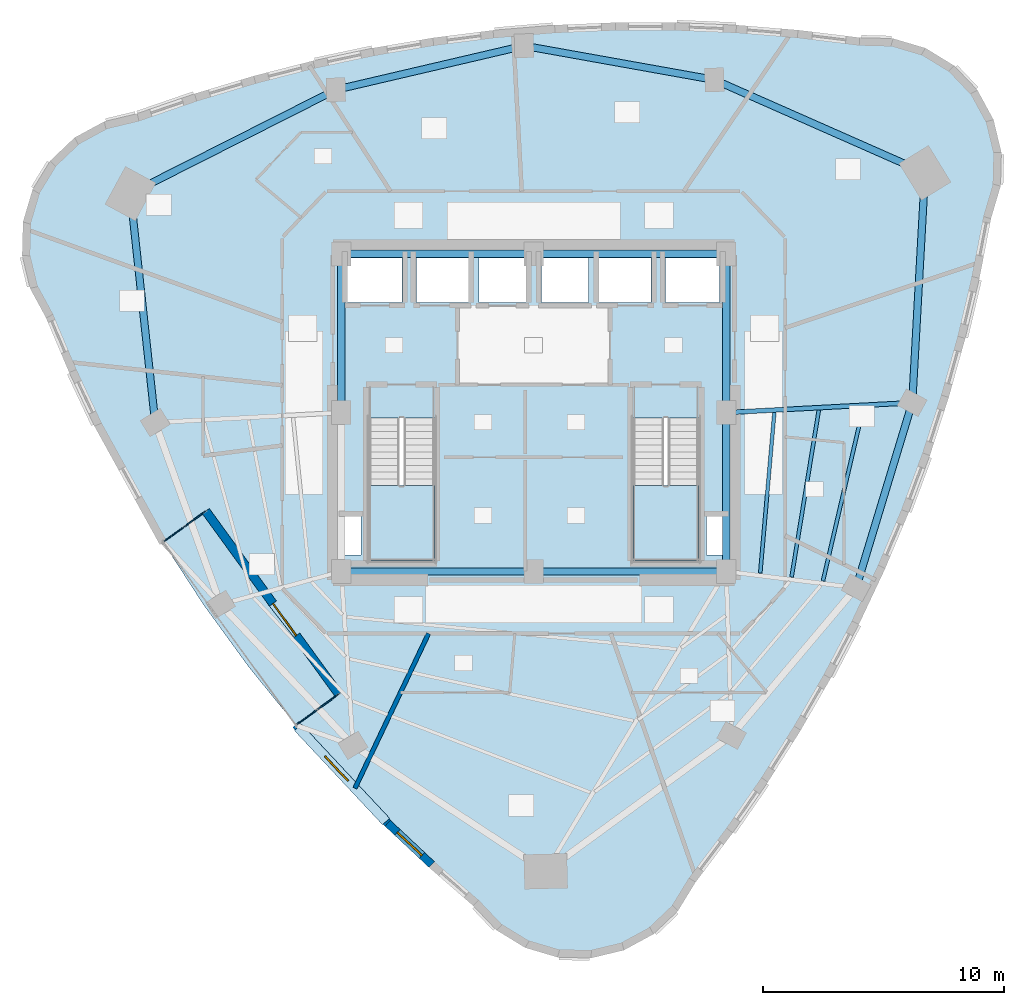
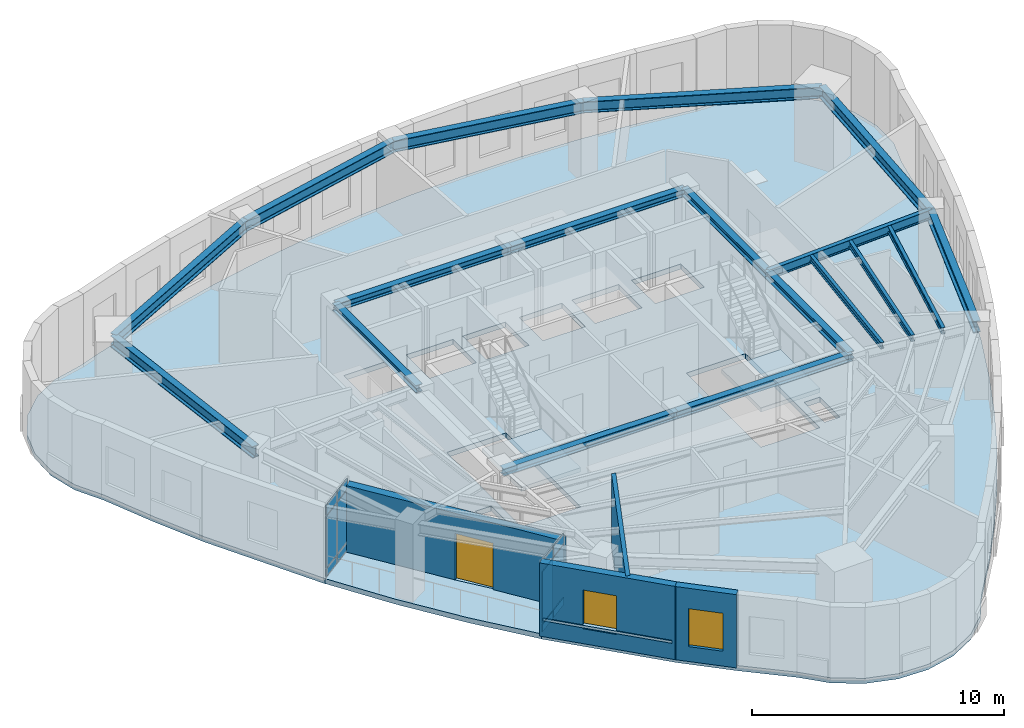
# One storey, part 5 of 12: 18 beams, 13 plates, 4 slabs, 4 walls, 2 windows, 1 door, 3 openings, 4 elements without a shape of their own.
"""IFC4 building model written with IfcOpenShell, lengths in metres."""

from ifc_helpers import new_model, si_unit, direction, frame, frame_2d, origin, origin_2d, place, context, subcontext, project, spatial, polyline, rectangle, i_section, outline, extrude, material, layer, layer_set, material_profile, profile_set, type_object, element, fill, aggregate, save


model = new_model("IFC4")

# Units and contexts
model_context = context("Model", 3, precision=1e-05, world=origin(), true_north=direction((0.0, 1.0)))
body_context = subcontext(model_context, "Body", "Model", "MODEL_VIEW")
ifc_project = project(units=[si_unit("LENGTHUNIT", "METRE"), si_unit("AREAUNIT", "SQUARE_METRE"), si_unit("VOLUMEUNIT", "CUBIC_METRE"), si_unit("PLANEANGLEUNIT", "RADIAN"), si_unit("MASSUNIT", "GRAM", prefix="KILO")], contexts=[model_context])

# Site, building, storey
site_placement = place(None, origin())
site = spatial("IfcSite", under=ifc_project, at=site_placement, CompositionType="ELEMENT")
building_placement = place(site_placement, origin())
building = spatial("IfcBuilding", under=site, at=building_placement, Name="Ndelora Gate Hotel", CompositionType="ELEMENT")
storey_placement = place(building_placement, frame((0.0, 0.0, 232.14990234375)))
storey = spatial("IfcBuildingStorey", under=building, at=storey_placement, Name="L58", CompositionType="ELEMENT", Elevation=232.14990234375)

# Beams
ifc_material_1 = material(Name="Steel S355", Category="steel")
ifc_material_profile_1 = material_profile(ifc_material_1, i_section(OverallWidth=0.300048828125, OverallDepth=0.35009765625, WebThickness=0.010009765625, FlangeThickness=0.017578125, FilletRadius=0.027099609375, at=origin_2d()), Name="HEA 360")
ifc_profile_set_1 = profile_set([ifc_material_profile_1], Name="Steel S355")
beam_type_1 = type_object("IfcBeamType", Name="BM-CORE-350", PredefinedType="BEAM", material=ifc_profile_set_1)
for number, where, z_axis, x_axis, name in (
    (1, (-8.0, 6.60009765625, 3.375), (1.0, 0.0, 0.0), (0.0, 1.0, 0.0), "L58 Core Tie Girder CC7-CC6"),
    (2, (0.0, 6.60009765625, 3.375), (1.0, 0.0, 0.0), (0.0, 1.0, 0.0), "L58 Core Tie Girder CC6-CC5"),
):
    element("IfcBeam", number, at=place(storey_placement, frame(where, z_axis=z_axis, x_axis=x_axis)), inside=storey, type_object=beam_type_1, Name=name, PredefinedType="BEAM", context=body_context, shape_type="SweptSolid", body=[
        extrude(i_section(OverallWidth=0.300048828125, OverallDepth=0.35009765625, WebThickness=0.010009765625, FlangeThickness=0.017578125, FilletRadius=0.027099609375, at=origin_2d()), origin(), (0.0, 0.0, 1.0), 8.0),
    ])
for number, where, z_axis, x_axis, name in (
    (3, (-8.0, 0.0, 3.375), (0.0, 1.0, 0.0), (-1.0, 0.0, 0.0), "L58 Core Tie Girder CC8-CC7"),
    (4, (8.0, -6.60009765625, 3.375), (0.0, 1.0, 0.0), (-1.0, 0.0, 0.0), "L58 Core Tie Girder CC3-CC4"),
    (5, (8.0, 0.0, 3.375), (0.0, 1.0, 0.0), (-1.0, 0.0, 0.0), "L58 Core Tie Girder CC4-CC5"),
):
    element("IfcBeam", number, at=place(storey_placement, frame(where, z_axis=z_axis, x_axis=x_axis)), inside=storey, type_object=beam_type_1, Name=name, PredefinedType="BEAM", context=body_context, shape_type="SweptSolid", body=[
        extrude(i_section(OverallWidth=0.300048828125, OverallDepth=0.35009765625, WebThickness=0.010009765625, FlangeThickness=0.017578125, FilletRadius=0.027099609375, at=origin_2d()), origin(), (0.0, 0.0, 1.0), 6.60009765625),
    ])
for number, where, z_axis, x_axis, name in (
    (6, (-8.0, -6.60009765625, 3.375), (1.0, 0.0, 0.0), (0.0, 1.0, 0.0), "L58 Core Tie Girder CC1-CC2"),
    (7, (0.0, -6.60009765625, 3.375), (1.0, 0.0, 0.0), (0.0, 1.0, 0.0), "L58 Core Tie Girder CC2-CC3"),
):
    element("IfcBeam", number, at=place(storey_placement, frame(where, z_axis=z_axis, x_axis=x_axis)), inside=storey, type_object=beam_type_1, Name=name, PredefinedType="BEAM", context=body_context, shape_type="SweptSolid", body=[
        extrude(i_section(OverallWidth=0.300048828125, OverallDepth=0.35009765625, WebThickness=0.010009765625, FlangeThickness=0.017578125, FilletRadius=0.027099609375, at=origin_2d()), origin(), (0.0, 0.0, 1.0), 8.0),
    ])
ifc_material_profile_2 = material_profile(ifc_material_1, i_section(OverallWidth=0.14990234375, OverallDepth=0.300048828125, WebThickness=0.007080078125, FlangeThickness=0.0107421875, FilletRadius=0.014892578125, at=origin_2d()), Name="IPE 300")
ifc_profile_set_2 = profile_set([ifc_material_profile_2], Name="Steel S355")
beam_type_2 = type_object("IfcBeamType", Name="BM-JST-300", PredefinedType="JOIST", material=ifc_profile_set_2)
beam_1_placement = place(storey_placement, frame((9.413330078125, -6.671142578125, 3.400146484375), z_axis=(0.087643872384, 0.996151871771, 0.0), x_axis=(-0.996151871771, 0.087643872384, 0.0)))
element("IfcBeam", 8, at=beam_1_placement, inside=storey, type_object=beam_type_2, Name="L58 Secondary Composite Floor Joist IN-7", PredefinedType="JOIST", context=body_context, shape_type="SweptSolid", body=[
    extrude(i_section(OverallWidth=0.14990234375, OverallDepth=0.300048828125, WebThickness=0.007080078125, FlangeThickness=0.0107421875, FilletRadius=0.014892578125, at=origin_2d()), origin(), (0.0, 0.0, 1.0), 6.699462890625),
])
beam_2_placement = place(storey_placement, frame((10.717041015625, -6.834228515625, 3.400146484375), z_axis=(0.160939239626, 0.986964316046, 0.0), x_axis=(-0.986964316046, 0.160939239626, 0.0)))
element("IfcBeam", 9, at=beam_2_placement, inside=storey, type_object=beam_type_2, Name="L58 Secondary Composite Floor Joist MID-7", PredefinedType="JOIST", context=body_context, shape_type="SweptSolid", body=[
    extrude(i_section(OverallWidth=0.14990234375, OverallDepth=0.300048828125, WebThickness=0.007080078125, FlangeThickness=0.0107421875, FilletRadius=0.014892578125, at=origin_2d()), origin(), (0.0, 0.0, 1.0), 7.028076171875),
])
beam_3_placement = place(storey_placement, frame((12.02001953125, -6.997802734375, 3.400146484375), z_axis=(0.22674518397, 0.973954116756, 0.0), x_axis=(-0.973954116756, 0.22674518397, 0.0)))
element("IfcBeam", 10, at=beam_3_placement, inside=storey, type_object=beam_type_2, Name="L58 Secondary Composite Floor Joist OUT-7", PredefinedType="JOIST", context=body_context, shape_type="SweptSolid", body=[
    extrude(i_section(OverallWidth=0.14990234375, OverallDepth=0.300048828125, WebThickness=0.007080078125, FlangeThickness=0.0107421875, FilletRadius=0.014892578125, at=origin_2d()), origin(), (0.0, 0.0, 1.0), 7.392822265625),
])
ifc_material_profile_3 = material_profile(ifc_material_1, i_section(OverallWidth=0.18994140625, OverallDepth=0.449951171875, WebThickness=0.009521484375, FlangeThickness=0.0146484375, FilletRadius=0.02099609375, at=origin_2d()), Name="IPE 450")
ifc_profile_set_3 = profile_set([ifc_material_profile_3], Name="Steel S355")
beam_type_3 = type_object("IfcBeamType", Name="BM-RAD-450", PredefinedType="BEAM", material=ifc_profile_set_3)
beam_4_placement = place(storey_placement, frame((8.0, 0.0, 3.3251953125), z_axis=(0.998583554121, 0.053206065814, 0.0), x_axis=(-0.053206065814, 0.998583554121, 0.0)))
element("IfcBeam", 11, at=beam_4_placement, inside=storey, type_object=beam_type_3, Name="L58 Radial Floor Girder 8", PredefinedType="BEAM", context=body_context, shape_type="SweptSolid", body=[
    extrude(i_section(OverallWidth=0.18994140625, OverallDepth=0.449951171875, WebThickness=0.009521484375, FlangeThickness=0.0146484375, FilletRadius=0.02099609375, at=origin_2d()), origin(), (0.0, 0.0, 1.0), 7.740966796875),
])
ifc_material_profile_4 = material_profile(ifc_material_1, i_section(OverallWidth=0.300048828125, OverallDepth=0.550048828125, WebThickness=0.014892578125, FlangeThickness=0.029052734375, FilletRadius=0.027099609375, at=origin_2d()), Name="HEB 550")
ifc_profile_set_4 = profile_set([ifc_material_profile_4], Name="Steel S355")
beam_type_4 = type_object("IfcBeamType", Name="BM-RING-550", PredefinedType="SPANDREL", material=ifc_profile_set_4)
beam_5_placement = place(storey_placement, frame((-16.759521484375, 9.099609375, 3.275146484375), z_axis=(0.107613416645, -0.994192814578, 0.0), x_axis=(0.994192814578, 0.107613416645, 0.0)))
element("IfcBeam", 12, at=beam_5_placement, inside=storey, type_object=beam_type_4, Name="L58 Perimeter Spandrel Girder 1", PredefinedType="SPANDREL", context=body_context, shape_type="SweptSolid", body=[
    extrude(i_section(OverallWidth=0.300048828125, OverallDepth=0.550048828125, WebThickness=0.014892578125, FlangeThickness=0.029052734375, FilletRadius=0.027099609375, at=origin_2d()), origin(), (0.0, 0.0, 1.0), 9.567138671875),
])
beam_6_placement = place(storey_placement, frame((13.400390625, -7.275634765625, 3.275146484375), z_axis=(0.290012456561, 0.957022870698, 0.0), x_axis=(-0.957022870698, 0.290012456561, 0.0)))
element("IfcBeam", 13, at=beam_6_placement, inside=storey, type_object=beam_type_4, Name="L58 Perimeter Spandrel Girder 7", PredefinedType="SPANDREL", context=body_context, shape_type="SweptSolid", body=[
    extrude(i_section(OverallWidth=0.300048828125, OverallDepth=0.550048828125, WebThickness=0.014892578125, FlangeThickness=0.029052734375, FilletRadius=0.027099609375, at=origin_2d()), origin(), (0.0, 0.0, 1.0), 8.03271484375),
])
beam_7_placement = place(storey_placement, frame((15.72998046875, 0.411865234375, 3.275146484375), z_axis=(0.055426206248, 0.998462786318, 0.0), x_axis=(-0.998462786318, 0.055426206248, 0.0)))
element("IfcBeam", 14, at=beam_7_placement, inside=storey, type_object=beam_type_4, Name="L58 Perimeter Spandrel Girder 8", PredefinedType="SPANDREL", context=body_context, shape_type="SweptSolid", body=[
    extrude(i_section(OverallWidth=0.300048828125, OverallDepth=0.550048828125, WebThickness=0.014892578125, FlangeThickness=0.029052734375, FilletRadius=0.027099609375, at=origin_2d()), origin(), (0.0, 0.0, 1.0), 9.567138671875),
])
beam_8_placement = place(storey_placement, frame((16.26025390625, 9.96435546875, 3.275146484375), z_axis=(-0.914807449647, 0.403890245078, 0.0), x_axis=(-0.403890245078, -0.914807449647, 0.0)))
element("IfcBeam", 15, at=beam_8_placement, inside=storey, type_object=beam_type_4, Name="L58 Perimeter Spandrel Girder 9", PredefinedType="SPANDREL", context=body_context, shape_type="SweptSolid", body=[
    extrude(i_section(OverallWidth=0.300048828125, OverallDepth=0.550048828125, WebThickness=0.014892578125, FlangeThickness=0.029052734375, FilletRadius=0.027099609375, at=origin_2d()), origin(), (0.0, 0.0, 1.0), 9.56689453125),
])
for number, where, z_axis, x_axis, name in (
    (16, (7.50830078125, 13.828369140625, 3.275146484375), (-0.984373619655, 0.176092523767, 0.0), (-0.176092523767, -0.984373619655, 0.0), "L58 Perimeter Spandrel Girder 10"),
    (17, (-0.399169921875, 15.242919921875, 3.275146484375), (-0.973809142107, -0.227367004529, 0.0), (0.227367004529, -0.973809142107, 0.0), "L58 Perimeter Spandrel Girder 11"),
):
    element("IfcBeam", number, at=place(storey_placement, frame(where, z_axis=z_axis, x_axis=x_axis)), inside=storey, type_object=beam_type_4, Name=name, PredefinedType="SPANDREL", context=body_context, shape_type="SweptSolid", body=[
        extrude(i_section(OverallWidth=0.300048828125, OverallDepth=0.550048828125, WebThickness=0.014892578125, FlangeThickness=0.029052734375, FilletRadius=0.027099609375, at=origin_2d()), origin(), (0.0, 0.0, 1.0), 8.032958984375),
    ])
beam_9_placement = place(storey_placement, frame((-8.2216796875, 13.41650390625, 3.275146484375), z_axis=(-0.89241242978, -0.451220628045, 0.0), x_axis=(0.451220628045, -0.89241242978, 0.0)))
element("IfcBeam", 18, at=beam_9_placement, inside=storey, type_object=beam_type_4, Name="L58 Perimeter Spandrel Girder 12", PredefinedType="SPANDREL", context=body_context, shape_type="SweptSolid", body=[
    extrude(i_section(OverallWidth=0.300048828125, OverallDepth=0.550048828125, WebThickness=0.014892578125, FlangeThickness=0.029052734375, FilletRadius=0.027099609375, at=origin_2d()), origin(), (0.0, 0.0, 1.0), 9.567138671875),
])

# Curtain wall, plates
ifc_material_2 = material(Name="Bronze Anodised Unitised Aluminium and Low-E Glass", Category="aluminium")
ifc_layer_1 = layer(ifc_material_2, 0.199951171875)
ifc_layer_set_1 = layer_set([ifc_layer_1], Name="Bronze Anodised Unitised Aluminium and Low-E Glass")
curtain_wall_type = type_object("IfcCurtainWallType", Name="CW-SYS-3", PredefinedType="NOTDEFINED", material=ifc_layer_set_1)
curtain_wall_1_placement = place(storey_placement, origin())
curtain_wall_1 = element("IfcCurtainWall", 19, at=curtain_wall_1_placement, inside=storey, type_object=curtain_wall_type, Name="L58 Sky-Garden Loggia Side Curtain Wall CW3-1", PredefinedType="NOTDEFINED")
ifc_material_3 = material(Name="Solar-Control Low-E Insulated Glazing", Category="glass")
ifc_layer_2 = layer(ifc_material_3, 0.048095703125)
ifc_layer_set_2 = layer_set([ifc_layer_2], Name="Solar-Control Low-E Insulated Glazing")
plate_type_1 = type_object("IfcPlateType", Name="PL-CW-GLZ36", PredefinedType="CURTAIN_PANEL", material=ifc_layer_set_2)
plate_1_placement = place(storey_placement, frame((-14.085693359375, -4.42431640625, 0.05908203125), z_axis=(0.0, 0.0, 1.0), x_axis=(-0.809017078969, -0.587785135859, 0.0)))
plate_1 = element("IfcPlate", 20, at=plate_1_placement, type_object=plate_type_1, Name="CW3 panel 1.1", PredefinedType="CURTAIN_PANEL", context=body_context, shape_type="SweptSolid", body=[
    extrude(rectangle(XDim=1.014404296875, YDim=0.048095703125, at=origin_2d()), origin(), (0.0, 0.0, 1.0), 0.364501953125),
])
plate_2_placement = place(storey_placement, frame((-14.085693359375, -4.42431640625, 0.4765625), z_axis=(0.0, 0.0, 1.0), x_axis=(-0.809017078969, -0.587785135859, 0.0)))
plate_2 = element("IfcPlate", 21, at=plate_2_placement, type_object=plate_type_1, Name="CW3 panel 1.2", PredefinedType="CURTAIN_PANEL", context=body_context, shape_type="SweptSolid", body=[
    extrude(rectangle(XDim=1.014404296875, YDim=0.048095703125, at=origin_2d()), origin(), (0.0, 0.0, 1.0), 2.4970703125),
])
plate_3_placement = place(storey_placement, frame((-14.085693359375, -4.42431640625, 3.0263671875), z_axis=(0.0, 0.0, 1.0), x_axis=(-0.809017078969, -0.587785135859, 0.0)))
plate_3 = element("IfcPlate", 22, at=plate_3_placement, type_object=plate_type_1, Name="CW3 panel 1.3", PredefinedType="CURTAIN_PANEL", context=body_context, shape_type="SweptSolid", body=[
    extrude(rectangle(XDim=1.014404296875, YDim=0.048095703125, at=origin_2d()), origin(), (0.0, 0.0, 1.0), 0.464599609375),
])
plate_4_placement = place(storey_placement, frame((-14.94921875, -5.0517578125, 0.05908203125), z_axis=(0.0, 0.0, 1.0), x_axis=(-0.809017078969, -0.587785135859, 0.0)))
plate_4 = element("IfcPlate", 23, at=plate_4_placement, type_object=plate_type_1, Name="CW3 panel 2.1", PredefinedType="CURTAIN_PANEL", context=body_context, shape_type="SweptSolid", body=[
    extrude(rectangle(XDim=1.014404296875, YDim=0.048095703125, at=origin_2d()), origin(), (0.0, 0.0, 1.0), 0.364501953125),
])
plate_5_placement = place(storey_placement, frame((-14.94921875, -5.0517578125, 0.4765625), z_axis=(0.0, 0.0, 1.0), x_axis=(-0.809017078969, -0.587785135859, 0.0)))
plate_5 = element("IfcPlate", 24, at=plate_5_placement, type_object=plate_type_1, Name="CW3 panel 2.2", PredefinedType="CURTAIN_PANEL", context=body_context, shape_type="SweptSolid", body=[
    extrude(rectangle(XDim=1.014404296875, YDim=0.048095703125, at=origin_2d()), origin(), (0.0, 0.0, 1.0), 2.4970703125),
])
plate_6_placement = place(storey_placement, frame((-14.94921875, -5.0517578125, 3.0263671875), z_axis=(0.0, 0.0, 1.0), x_axis=(-0.809017078969, -0.587785135859, 0.0)))
plate_6 = element("IfcPlate", 25, at=plate_6_placement, type_object=plate_type_1, Name="CW3 panel 2.3", PredefinedType="CURTAIN_PANEL", context=body_context, shape_type="SweptSolid", body=[
    extrude(rectangle(XDim=1.014404296875, YDim=0.048095703125, at=origin_2d()), origin(), (0.0, 0.0, 1.0), 0.464599609375),
])
aggregate(curtain_wall_1, [plate_1, plate_2, plate_3, plate_4, plate_5, plate_6])

curtain_wall_2_placement = place(storey_placement, origin())
curtain_wall_2 = element("IfcCurtainWall", 26, at=curtain_wall_2_placement, inside=storey, type_object=curtain_wall_type, Name="L58 Sky-Garden Loggia Side Curtain Wall CW3-2", PredefinedType="NOTDEFINED")
plate_7_placement = place(storey_placement, frame((-9.424072265625, -12.656494140625, 0.05908203125), z_axis=(0.0, 0.0, 1.0), x_axis=(0.809032782583, 0.587763521074, 0.0)))
plate_7 = element("IfcPlate", 27, at=plate_7_placement, type_object=plate_type_1, Name="CW3 panel 1.1", PredefinedType="CURTAIN_PANEL", context=body_context, shape_type="SweptSolid", body=[
    extrude(rectangle(XDim=1.014404296875, YDim=0.048095703125, at=origin_2d()), origin(), (0.0, 0.0, 1.0), 0.364501953125),
])
plate_8_placement = place(storey_placement, frame((-9.424072265625, -12.656494140625, 0.4765625), z_axis=(0.0, 0.0, 1.0), x_axis=(0.809032782583, 0.587763521074, 0.0)))
plate_8 = element("IfcPlate", 28, at=plate_8_placement, type_object=plate_type_1, Name="CW3 panel 1.2", PredefinedType="CURTAIN_PANEL", context=body_context, shape_type="SweptSolid", body=[
    extrude(rectangle(XDim=1.014404296875, YDim=0.048095703125, at=origin_2d()), origin(), (0.0, 0.0, 1.0), 2.4970703125),
])
plate_9_placement = place(storey_placement, frame((-9.424072265625, -12.656494140625, 3.0263671875), z_axis=(0.0, 0.0, 1.0), x_axis=(0.809032782583, 0.587763521074, 0.0)))
plate_9 = element("IfcPlate", 29, at=plate_9_placement, type_object=plate_type_1, Name="CW3 panel 1.3", PredefinedType="CURTAIN_PANEL", context=body_context, shape_type="SweptSolid", body=[
    extrude(rectangle(XDim=1.014404296875, YDim=0.048095703125, at=origin_2d()), origin(), (0.0, 0.0, 1.0), 0.464599609375),
])
plate_10_placement = place(storey_placement, frame((-8.560546875, -12.029052734375, 0.05908203125), z_axis=(0.0, 0.0, 1.0), x_axis=(0.809032782583, 0.587763521074, 0.0)))
plate_10 = element("IfcPlate", 30, at=plate_10_placement, type_object=plate_type_1, Name="CW3 panel 2.1", PredefinedType="CURTAIN_PANEL", context=body_context, shape_type="SweptSolid", body=[
    extrude(rectangle(XDim=1.014404296875, YDim=0.048095703125, at=origin_2d()), origin(), (0.0, 0.0, 1.0), 0.364501953125),
])
plate_11_placement = place(storey_placement, frame((-8.560546875, -12.029052734375, 0.4765625), z_axis=(0.0, 0.0, 1.0), x_axis=(0.809032782583, 0.587763521074, 0.0)))
plate_11 = element("IfcPlate", 31, at=plate_11_placement, type_object=plate_type_1, Name="CW3 panel 2.2", PredefinedType="CURTAIN_PANEL", context=body_context, shape_type="SweptSolid", body=[
    extrude(rectangle(XDim=1.014404296875, YDim=0.048095703125, at=origin_2d()), origin(), (0.0, 0.0, 1.0), 2.4970703125),
])
plate_12_placement = place(storey_placement, frame((-8.560546875, -12.029052734375, 3.0263671875), z_axis=(0.0, 0.0, 1.0), x_axis=(0.809032782583, 0.587763521074, 0.0)))
plate_12 = element("IfcPlate", 32, at=plate_12_placement, type_object=plate_type_1, Name="CW3 panel 2.3", PredefinedType="CURTAIN_PANEL", context=body_context, shape_type="SweptSolid", body=[
    extrude(rectangle(XDim=1.014404296875, YDim=0.048095703125, at=origin_2d()), origin(), (0.0, 0.0, 1.0), 0.464599609375),
])
aggregate(curtain_wall_2, [plate_7, plate_8, plate_9, plate_10, plate_11, plate_12])

# Plate
ifc_material_4 = material(Name="Precast concrete C40/50", Category="concrete")
ifc_layer_3 = layer(ifc_material_4, 0.125)
ifc_layer_set_3 = layer_set([ifc_layer_3], Name="Precast concrete C40/50")
plate_type_2 = type_object("IfcPlateType", Name="PL-SILL-120", PredefinedType="USERDEFINED", material=ifc_layer_set_3)
plate_13_placement = place(storey_placement, frame((-7.96630859375, -15.035888671875, 0.78759765625), z_axis=(0.0, 0.0, 1.0), x_axis=(-0.683401200631, 0.73004301173, 0.0)))
element("IfcPlate", 33, at=plate_13_placement, inside=storey, type_object=plate_type_2, Name="L58 Streamline Precast Ribbon Sill 16", ObjectType="RIBBON_SILL", PredefinedType="USERDEFINED", context=body_context, shape_type="SweptSolid", body=[
    extrude(rectangle(XDim=5.35693359375, YDim=0.39990234375, at=origin_2d()), origin(), (0.0, 0.0, 1.0), 0.125),
])

# Stair, slab
stair_type = type_object("IfcStairType", Name="STR-DOG-CORE", PredefinedType="HALF_TURN_STAIR", material=ifc_material_4)
stair_1_placement = place(storey_placement, origin())
stair_1 = element("IfcStair", 34, at=stair_1_placement, inside=storey, type_object=stair_type, Name="L58 Protected Core Exit Stair ST4", PredefinedType="HALF_TURN_STAIR")
ifc_layer_4 = layer(ifc_material_4, 0.219970703125)
ifc_layer_set_4 = layer_set([ifc_layer_4], Name="Precast concrete C40/50")
slab_type_1 = type_object("IfcSlabType", Name="SL-LAND-220", PredefinedType="LANDING", material=ifc_layer_set_4)
slab_1_placement = place(storey_placement, frame((0.0, 0.0, 1.7001953125)))
slab_1 = element("IfcSlab", 35, at=slab_1_placement, type_object=slab_type_1, Name="ST4 landing 1", PredefinedType="LANDING", context=body_context, shape_type="SweptSolid", body=[
    extrude(outline(polyline([(-6.85009765625, -3.030029296875), (-6.85009765625, -6.14990234375), (-4.1298828125, -6.14990234375), (-4.1298828125, -3.030029296875), (-6.85009765625, -3.030029296875)])), origin(), (0.0, 0.0, 1.0), 0.199951171875),
])
aggregate(stair_1, [slab_1])

stair_2_placement = place(storey_placement, origin())
stair_2 = element("IfcStair", 36, at=stair_2_placement, inside=storey, type_object=stair_type, Name="L58 Protected Core Exit Stair ST5", PredefinedType="HALF_TURN_STAIR")
slab_2_placement = place(storey_placement, frame((0.0, 0.0, 1.7001953125)))
slab_2 = element("IfcSlab", 37, at=slab_2_placement, type_object=slab_type_1, Name="ST5 landing 1", PredefinedType="LANDING", context=body_context, shape_type="SweptSolid", body=[
    extrude(outline(polyline([(4.1298828125, -3.030029296875), (4.1298828125, -6.14990234375), (6.85009765625, -6.14990234375), (6.85009765625, -3.030029296875), (4.1298828125, -3.030029296875)])), origin(), (0.0, 0.0, 1.0), 0.199951171875),
])
aggregate(stair_2, [slab_2])

# Slabs
ifc_layer_5 = layer(ifc_material_4, 0.239990234375)
ifc_layer_set_5 = layer_set([ifc_layer_5], Name="Precast concrete C40/50")
slab_type_2 = type_object("IfcSlabType", Name="SL-TER-240", PredefinedType="FLOOR", material=ifc_layer_set_5)
slab_3_placement = place(storey_placement, frame((0.0, 0.0, -0.239990234375)))
element("IfcSlab", 38, at=slab_3_placement, inside=storey, type_object=slab_type_2, Name="L58 Sky Garden Loggia Terrace Slab", PredefinedType="FLOOR", context=body_context, shape_type="SweptSolid", body=[
    extrude(outline(polyline([(-13.627685546875, -4.091552734375), (-15.407470703125, -5.384521484375), (-13.716064453125, -7.989990234375), (-11.83740234375, -10.57568359375), (-9.88232421875, -12.989501953125), (-8.102294921875, -11.6962890625), (-11.01416015625, -8.002197265625), (-13.627685546875, -4.091552734375)])), origin(), (0.0, 0.0, 1.0), 0.239990234375),
])
ifc_material_5 = material(Name="Concrete C40/50", Category="concrete")
ifc_layer_6 = layer(ifc_material_5, 0.25)
ifc_layer_set_6 = layer_set([ifc_layer_6], Name="Concrete C40/50")
slab_type_3 = type_object("IfcSlabType", Name="SL-TWR-250", PredefinedType="FLOOR", material=ifc_layer_set_6)
slab_4_placement = place(storey_placement, frame((0.0, 0.0, -0.25)))
element("IfcSlab", 39, at=slab_4_placement, inside=storey, type_object=slab_type_3, Name="L58 Structural Floor Slab", PredefinedType="FLOOR", context=body_context, shape_type="SweptSolid", body=[
    extrude(outline(polyline([(-16.465087890625, 12.26025390625), (-17.784912109375, 11.943359375), (-18.97802734375, 11.295654296875), (-19.962646484375, 10.361083984375), (-20.672119140625, 9.203857421875), (-21.0576171875, 7.902099609375), (-21.093017578125, 6.545166015625), (-20.776123046875, 5.22509765625), (-20.12841796875, 4.0322265625), (-19.16162109375, 1.749755859375), (-18.115966796875, -0.4755859375), (-15.407470703125, -5.384521484375), (-13.627685546875, -4.091552734375), (-11.01416015625, -8.002197265625), (-8.102294921875, -11.6962890625), (-9.88232421875, -12.989501953125), (-6.05029296875, -17.082275390625), (-4.257080078125, -18.764404296875), (-2.385009765625, -20.389404296875), (-1.45068359375, -21.3740234375), (-0.293212890625, -22.083251953125), (1.00830078125, -22.46875), (2.365234375, -22.50439453125), (3.685302734375, -22.1875), (4.878173828125, -21.539794921875), (5.86279296875, -20.605224609375), (6.572265625, -19.44775390625), (8.125732421875, -17.385986328125), (9.582763671875, -15.281005859375), (10.943603515625, -13.13330078125), (12.207763671875, -10.9423828125), (13.37548828125, -8.708740234375), (14.447021484375, -6.43212890625), (15.421875, -4.112548828125), (16.30029296875, -1.750244140625), (17.08251953125, 0.6552734375), (17.768310546875, 3.103515625), (18.357421875, 5.5947265625), (18.85009765625, 8.129150390625), (19.23583984375, 9.4306640625), (19.271240234375, 10.78759765625), (18.954345703125, 12.107666015625), (18.306640625, 13.300537109375), (17.372314453125, 14.28515625), (16.21484375, 14.994384765625), (14.9130859375, 15.380126953125), (13.55615234375, 15.41552734375), (10.993896484375, 15.72998046875), (8.4423828125, 15.939453125), (5.90185546875, 16.0439453125), (3.37255859375, 16.04345703125), (0.854248046875, 15.93798828125), (-1.653076171875, 15.7275390625), (-4.1494140625, 15.412109375), (-6.634521484375, 14.99169921875), (-9.108642578125, 14.46630859375), (-11.572021484375, 13.8359375), (-14.02392578125, 13.1005859375), (-16.465087890625, 12.26025390625)]), holes=[polyline([(-6.85009765625, -0.22998046875), (-6.85009765625, -6.14990234375), (-4.1298828125, -6.14990234375), (-4.1298828125, -0.22998046875), (-6.85009765625, -0.22998046875)]), polyline([(4.1298828125, -0.22998046875), (4.1298828125, -6.14990234375), (6.85009765625, -6.14990234375), (6.85009765625, -0.22998046875), (4.1298828125, -0.22998046875)]), polyline([(-7.72998046875, 4.570068359375), (-5.469970703125, 4.570068359375), (-5.469970703125, 6.429931640625), (-7.72998046875, 6.429931640625), (-7.72998046875, 4.570068359375)]), polyline([(5.469970703125, 4.570068359375), (7.72998046875, 4.570068359375), (7.72998046875, 6.429931640625), (5.469970703125, 6.429931640625), (5.469970703125, 4.570068359375)]), polyline([(-4.8798828125, 4.570068359375), (-2.719970703125, 4.570068359375), (-2.719970703125, 6.429931640625), (-4.8798828125, 6.429931640625), (-4.8798828125, 4.570068359375)]), polyline([(2.719970703125, 4.570068359375), (4.8798828125, 4.570068359375), (4.8798828125, 6.429931640625), (2.719970703125, 6.429931640625), (2.719970703125, 4.570068359375)]), polyline([(-2.280029296875, 4.570068359375), (-0.320068359375, 4.570068359375), (-0.320068359375, 6.429931640625), (-2.280029296875, 6.429931640625), (-2.280029296875, 4.570068359375)]), polyline([(0.320068359375, 4.570068359375), (2.280029296875, 4.570068359375), (2.280029296875, 6.429931640625), (0.320068359375, 6.429931640625), (0.320068359375, 4.570068359375)]), polyline([(-7.89990234375, -5.919921875), (-7.179931640625, -5.919921875), (-7.179931640625, -4.320068359375), (-7.89990234375, -4.320068359375), (-7.89990234375, -5.919921875)]), polyline([(7.179931640625, -5.919921875), (7.89990234375, -5.919921875), (7.89990234375, -4.320068359375), (7.179931640625, -4.320068359375), (7.179931640625, -5.919921875)])]), origin(), (0.0, 0.0, 1.0), 0.25),
])

# Wall
ifc_material_6 = material(Name="Acoustic Double-Stud Gypsum Assembly", Category="gypsum")
ifc_layer_7 = layer(ifc_material_6, 0.179931640625)
ifc_layer_set_7 = layer_set([ifc_layer_7], Name="Acoustic Double-Stud Gypsum Assembly")
wall_type_1 = type_object("IfcWallType", Name="WL-ACOUST-180", PredefinedType="PARTITIONING", material=ifc_layer_set_7)
wall_1_placement = place(storey_placement, frame((-4.368408203125, -9.179931640625, 0.0), z_axis=(0.0, 0.0, 1.0), x_axis=(-0.429699353622, -0.902972018114, 0.0)))
element("IfcWall", 40, at=wall_1_placement, inside=storey, type_object=wall_type_1, Name="L58 Interior Wall IW-3", PredefinedType="PARTITIONING", context=body_context, shape_type="SweptSolid", body=[
    extrude(rectangle(XDim=7.121337890625, YDim=0.179931640625, at=frame_2d((3.560546875, 0.0))), origin(), (0.0, 0.0, 1.0), 3.550048828125),
])

# Wall, opening, window
ifc_material_7 = material(Name="Clay Brick Masonry", Category="masonry")
ifc_layer_8 = layer(ifc_material_7, 0.330078125)
ifc_layer_set_8 = layer_set([ifc_layer_8], Name="Clay Brick Masonry")
wall_type_2 = type_object("IfcWallType", Name="WL-BRICK-330", PredefinedType="SOLIDWALL", material=ifc_layer_set_8)
wall_2_placement = place(storey_placement, frame((-6.033203125, -17.100341796875, 0.0), z_axis=(0.0, 0.0, 1.0), x_axis=(-0.683483012733, 0.72996641793, 0.0)))
wall_2 = element("IfcWall", 41, at=wall_2_placement, inside=storey, type_object=wall_type_2, Name="L58 Tower Brick Pier-and-Spandrel Wall TWR-16", PredefinedType="SOLIDWALL", context=body_context, shape_type="SweptSolid", body=[
    extrude(rectangle(XDim=5.65673828125, YDim=0.330078125, at=frame_2d((2.828369140625, 0.0))), origin(), (0.0, 0.0, 1.0), 3.550048828125),
])
opening_1_placement = place(wall_2_placement, frame((2.4599609375, 0.0, 0.719970703125)))
opening_1 = element("IfcOpeningElement", 42, at=opening_1_placement, cuts=wall_2, Name="Opening W02", PredefinedType="OPENING", context=body_context, shape_type="SweptSolid", body=[
    extrude(rectangle(XDim=1.39990234375, YDim=1.8798828125, at=frame_2d((0.699951171875, 0.93994140625))), frame((0.0, 0.175048828125, 0.0), z_axis=(0.0, -1.0, 0.0), x_axis=(1.0, 0.0, 0.0)), (0.0, 0.0, 1.0), 0.35009765625),
])
ifc_material_8 = material(Name="Insulated Low-E Double Glazing in Bronze Aluminium Frame", Category="aluminium")
window_type = type_object("IfcWindowType", Name="WN-DEEP-1400", PartitioningType="SINGLE_PANEL", PredefinedType="WINDOW", material=ifc_material_8)
window_1_placement = place(opening_1_placement, origin())
window_1 = element("IfcWindow", 43, at=window_1_placement, inside=storey, type_object=window_type, Name="L58 Deep-Set Brick-Pier Window W02", OverallHeight=1.8798828125, OverallWidth=1.39990234375, PartitioningType="SINGLE_PANEL", PredefinedType="WINDOW", context=body_context, shape_type="SweptSolid", body=[
    extrude(rectangle(XDim=1.39990234375, YDim=1.8798828125, at=frame_2d((0.699951171875, 0.93994140625))), frame((0.0, 0.030029296875, 0.0), z_axis=(0.0, -1.0, 0.0), x_axis=(1.0, 0.0, 0.0)), (0.0, 0.0, 1.0), 0.06005859375),
])
fill(opening_1, window_1)

wall_3_placement = place(storey_placement, frame((-4.239013671875, -18.781494140625, 0.0), z_axis=(0.0, 0.0, 1.0), x_axis=(-0.729324721521, 0.684167706471, 0.0)))
wall_3 = element("IfcWall", 44, at=wall_3_placement, inside=storey, type_object=wall_type_2, Name="L58 Tower Brick Pier-and-Spandrel Wall TWR-17", PredefinedType="SOLIDWALL", context=body_context, shape_type="SweptSolid", body=[
    extrude(rectangle(XDim=2.508544921875, YDim=0.330078125, at=frame_2d((1.25439453125, 0.0))), origin(), (0.0, 0.0, 1.0), 3.550048828125),
])
opening_2_placement = place(wall_3_placement, frame((0.554443359375, 0.0, 0.719970703125)))
opening_2 = element("IfcOpeningElement", 45, at=opening_2_placement, cuts=wall_3, Name="Opening W02", PredefinedType="OPENING", context=body_context, shape_type="SweptSolid", body=[
    extrude(rectangle(XDim=1.39990234375, YDim=1.840087890625, at=frame_2d((0.699951171875, 0.919921875))), frame((0.0, 0.175048828125, 0.0), z_axis=(0.0, -1.0, 0.0), x_axis=(1.0, 0.0, 0.0)), (0.0, 0.0, 1.0), 0.35009765625),
])
window_2_placement = place(opening_2_placement, origin())
window_2 = element("IfcWindow", 46, at=window_2_placement, inside=storey, type_object=window_type, Name="L58 Deep-Set Brick-Pier Window W02", OverallHeight=1.840087890625, OverallWidth=1.39990234375, PartitioningType="SINGLE_PANEL", PredefinedType="WINDOW", context=body_context, shape_type="SweptSolid", body=[
    extrude(rectangle(XDim=1.39990234375, YDim=1.840087890625, at=frame_2d((0.699951171875, 0.919921875))), frame((0.0, 0.030029296875, 0.0), z_axis=(0.0, -1.0, 0.0), x_axis=(1.0, 0.0, 0.0)), (0.0, 0.0, 1.0), 0.06005859375),
])
fill(opening_2, window_2)

# Wall, opening, door
ifc_layer_9 = layer(ifc_material_7, 0.360107421875)
ifc_layer_set_9 = layer_set([ifc_layer_9], Name="Clay Brick Masonry")
wall_type_3 = type_object("IfcWallType", Name="WL-BRICK-360", PredefinedType="SOLIDWALL", material=ifc_layer_set_9)
wall_4_placement = place(storey_placement, frame((-8.102294921875, -11.6962890625, 0.0), z_axis=(0.0, 0.0, 1.0), x_axis=(-0.587801006747, 0.809005547859, 0.0)))
wall_4 = element("IfcWall", 47, at=wall_4_placement, inside=storey, type_object=wall_type_3, Name="L58 Sky-Garden Loggia Rear Brick Wall", PredefinedType="SOLIDWALL", context=body_context, shape_type="SweptSolid", body=[
    extrude(rectangle(XDim=9.400146484375, YDim=0.360107421875, at=frame_2d((4.7001953125, 0.0))), origin(), (0.0, 0.0, 1.0), 3.22998046875),
])
opening_3_placement = place(wall_4_placement, frame((3.0, 0.0, 0.0)))
opening_3 = element("IfcOpeningElement", 48, at=opening_3_placement, cuts=wall_4, Name="Opening TD1", PredefinedType="OPENING", context=body_context, shape_type="SweptSolid", body=[
    extrude(rectangle(XDim=1.64990234375, YDim=2.25, at=frame_2d((0.824951171875, 1.125))), frame((0.0, 0.18994140625, 0.0), z_axis=(0.0, -1.0, 0.0), x_axis=(1.0, 0.0, 0.0)), (0.0, 0.0, 1.0), 0.380126953125),
])
ifc_material_9 = material(Name="Architectural Bronze Glazed Door", Category="metal")
door_type = type_object("IfcDoorType", Name="DR-TER-1650", OperationType="DOUBLE_DOOR_SINGLE_SWING", PredefinedType="DOOR", material=ifc_material_9)
door_placement = place(opening_3_placement, origin())
door = element("IfcDoor", 49, at=door_placement, inside=storey, type_object=door_type, Name="L58 Sky-Garden Terrace Double Door TD1", OperationType="DOUBLE_DOOR_SINGLE_SWING", OverallHeight=2.25, OverallWidth=1.64990234375, PredefinedType="DOOR", context=body_context, shape_type="SweptSolid", body=[
    extrude(rectangle(XDim=1.64990234375, YDim=2.25, at=frame_2d((0.824951171875, 1.125))), frame((0.0, 0.02490234375, 0.0), z_axis=(0.0, -1.0, 0.0), x_axis=(1.0, 0.0, 0.0)), (0.0, 0.0, 1.0), 0.050048828125),
])
fill(opening_3, door)

save(model, "model.ifc")
